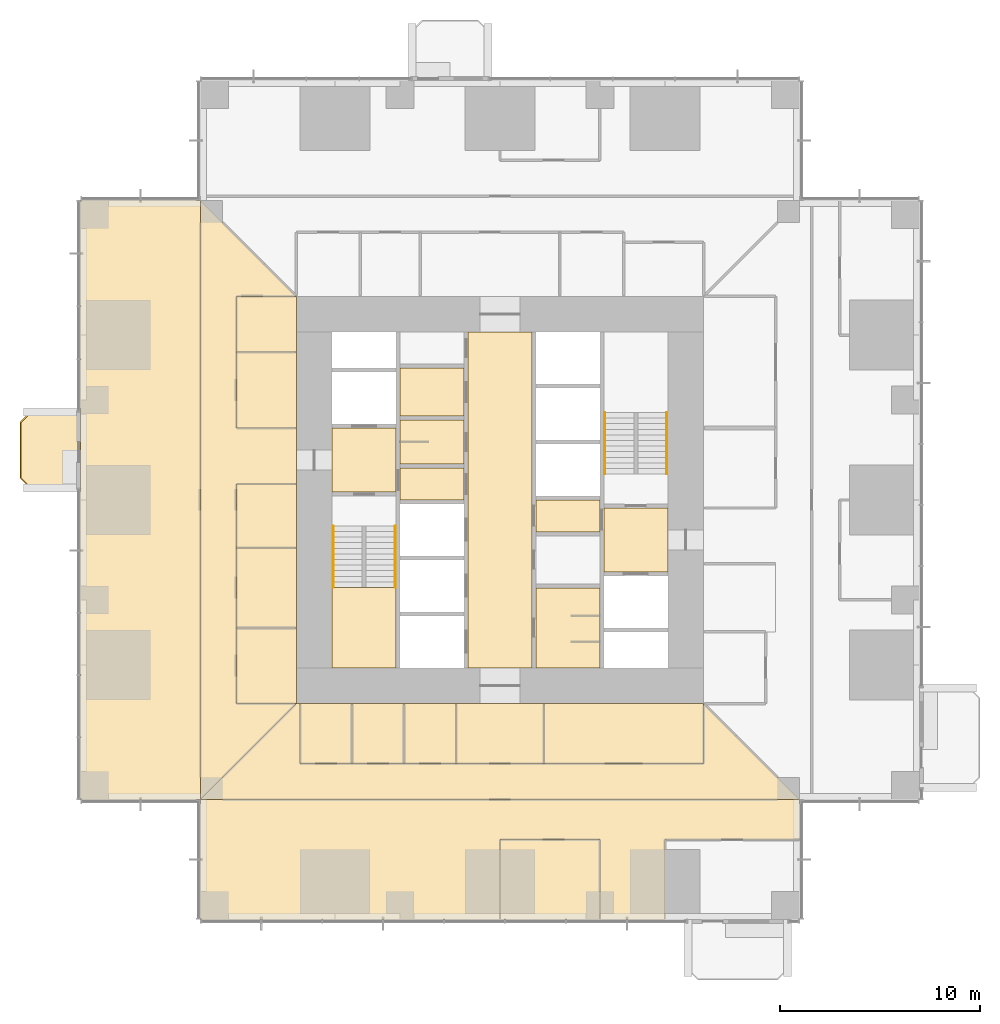
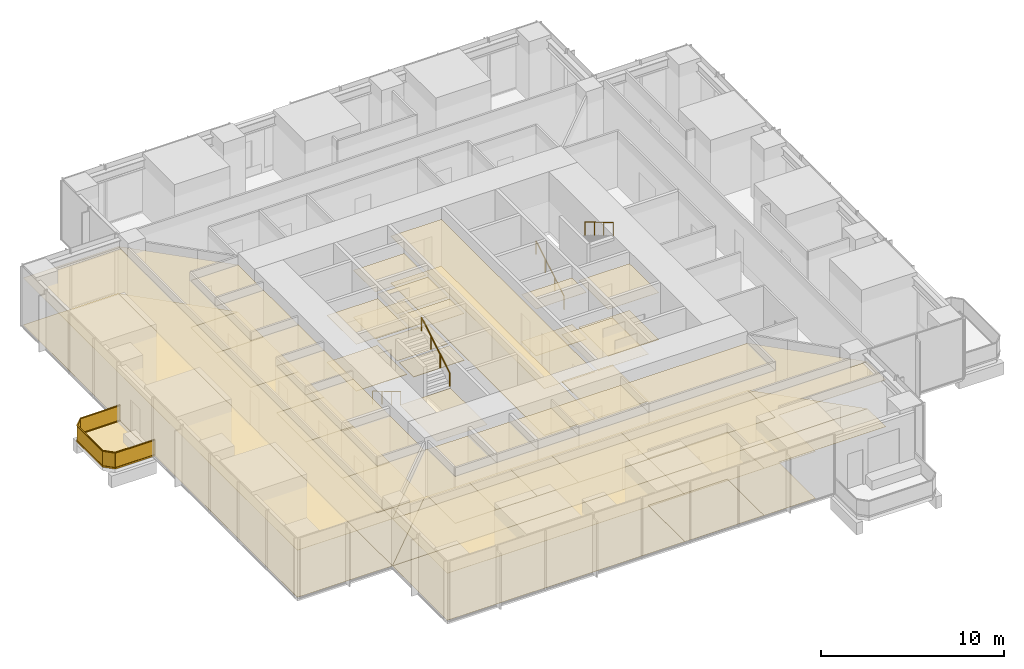
# One storey, part 13 of 15: 48 coverings, 5 railings.
"""IFC4 building model written with IfcOpenShell, lengths in metres."""

from ifc_helpers import new_model, si_unit, direction, frame, origin, origin_2d, place, context, subcontext, project, spatial, polyline, rectangle, circle, outline, extrude, material, layer, layer_set, type_object, element, save


model = new_model("IFC4")

# Units and contexts
model_context = context("Model", 3, precision=1e-05, world=origin(), true_north=direction((0.0, 1.0)))
body_context = subcontext(model_context, "Body", "Model", "MODEL_VIEW")
ifc_project = project(units=[si_unit("LENGTHUNIT", "METRE"), si_unit("AREAUNIT", "SQUARE_METRE"), si_unit("VOLUMEUNIT", "CUBIC_METRE"), si_unit("PLANEANGLEUNIT", "RADIAN"), si_unit("MASSUNIT", "GRAM", prefix="KILO")], contexts=[model_context])

# Site, building, storey
site_placement = place(None, origin())
site = spatial("IfcSite", under=ifc_project, at=site_placement, CompositionType="ELEMENT")
building_placement = place(site_placement, origin())
building = spatial("IfcBuilding", under=site, at=building_placement, Name="Svetlomir Tower", CompositionType="ELEMENT")
storey_placement = place(building_placement, frame((0.0, 0.0, 66.5)))
storey = spatial("IfcBuildingStorey", under=building, at=storey_placement, Name="L15", CompositionType="ELEMENT", Elevation=66.5)

# Railing
ifc_material_1 = material(Name="Bronze anodised aluminium and laminated glass", Category="aluminium")
railing_type_1 = type_object("IfcRailingType", Name="BALCONY GUARD GR1 1100", PredefinedType="GUARDRAIL", material=ifc_material_1)
railing_1_placement = place(storey_placement, frame((0.0, 25.39990234375, 0.0)))
element("IfcRailing", 1, at=railing_1_placement, inside=storey, type_object=railing_type_1, Name="Balcony guard W L15", PredefinedType="GUARDRAIL", context=body_context, shape_type="SweptSolid", body=[
    extrude(rectangle(XDim=0.06005859375, YDim=0.10009765625, at=origin_2d()), frame((0.0, 0.0, 0.050048828125), z_axis=(-1.0, 0.0, 0.0), x_axis=(0.0, -1.0, 0.0)), (0.0, 0.0, 1.0), 2.5),
    extrude(rectangle(XDim=0.021484375, YDim=0.960205078125, at=origin_2d()), frame((0.0, 0.0, 0.580078125), z_axis=(-1.0, 0.0, 0.0), x_axis=(0.0, -1.0, 0.0)), (0.0, 0.0, 1.0), 2.5),
    extrude(rectangle(XDim=0.06005859375, YDim=0.0400390625, at=origin_2d()), frame((0.0, 0.0, 1.080078125), z_axis=(-1.0, 0.0, 0.0), x_axis=(0.0, -1.0, 0.0)), (0.0, 0.0, 1.0), 2.5),
    extrude(rectangle(XDim=0.06005859375, YDim=0.10009765625, at=origin_2d()), frame((-2.5, 0.0, 0.050048828125), z_axis=(-0.707106781187, -0.707106781187, 0.0), x_axis=(0.707106781187, -0.707106781187, 0.0)), (0.0, 0.0, 1.0), 0.70703125),
    extrude(rectangle(XDim=0.021484375, YDim=0.960205078125, at=origin_2d()), frame((-2.5, 0.0, 0.580078125), z_axis=(-0.707106781187, -0.707106781187, 0.0), x_axis=(0.707106781187, -0.707106781187, 0.0)), (0.0, 0.0, 1.0), 0.70703125),
    extrude(rectangle(XDim=0.06005859375, YDim=0.0400390625, at=origin_2d()), frame((-2.5, 0.0, 1.080078125), z_axis=(-0.707106781187, -0.707106781187, 0.0), x_axis=(0.707106781187, -0.707106781187, 0.0)), (0.0, 0.0, 1.0), 0.70703125),
    extrude(rectangle(XDim=0.06005859375, YDim=0.10009765625, at=origin_2d()), frame((-3.0, -0.5, 0.050048828125), z_axis=(0.0, -1.0, 0.0), x_axis=(1.0, 0.0, 0.0)), (0.0, 0.0, 1.0), 2.7998046875),
    extrude(rectangle(XDim=0.021484375, YDim=0.960205078125, at=origin_2d()), frame((-3.0, -0.5, 0.580078125), z_axis=(0.0, -1.0, 0.0), x_axis=(1.0, 0.0, 0.0)), (0.0, 0.0, 1.0), 2.7998046875),
    extrude(rectangle(XDim=0.06005859375, YDim=0.0400390625, at=origin_2d()), frame((-3.0, -0.5, 1.080078125), z_axis=(0.0, -1.0, 0.0), x_axis=(1.0, 0.0, 0.0)), (0.0, 0.0, 1.0), 2.7998046875),
    extrude(rectangle(XDim=0.06005859375, YDim=0.10009765625, at=origin_2d()), frame((-3.0, -3.2998046875, 0.050048828125), z_axis=(0.707106781187, -0.707106781187, 0.0), x_axis=(0.707106781187, 0.707106781187, 0.0)), (0.0, 0.0, 1.0), 0.70703125),
    extrude(rectangle(XDim=0.021484375, YDim=0.960205078125, at=origin_2d()), frame((-3.0, -3.2998046875, 0.580078125), z_axis=(0.707106781187, -0.707106781187, 0.0), x_axis=(0.707106781187, 0.707106781187, 0.0)), (0.0, 0.0, 1.0), 0.70703125),
    extrude(rectangle(XDim=0.06005859375, YDim=0.0400390625, at=origin_2d()), frame((-3.0, -3.2998046875, 1.080078125), z_axis=(0.707106781187, -0.707106781187, 0.0), x_axis=(0.707106781187, 0.707106781187, 0.0)), (0.0, 0.0, 1.0), 0.70703125),
    extrude(rectangle(XDim=0.06005859375, YDim=0.10009765625, at=origin_2d()), frame((-2.5, -3.7998046875, 0.050048828125), z_axis=(1.0, 0.0, 0.0), x_axis=(0.0, 1.0, 0.0)), (0.0, 0.0, 1.0), 2.5),
    extrude(rectangle(XDim=0.021484375, YDim=0.960205078125, at=origin_2d()), frame((-2.5, -3.7998046875, 0.580078125), z_axis=(1.0, 0.0, 0.0), x_axis=(0.0, 1.0, 0.0)), (0.0, 0.0, 1.0), 2.5),
    extrude(rectangle(XDim=0.06005859375, YDim=0.0400390625, at=origin_2d()), frame((-2.5, -3.7998046875, 1.080078125), z_axis=(1.0, 0.0, 0.0), x_axis=(0.0, 1.0, 0.0)), (0.0, 0.0, 1.0), 2.5),
])

# Coverings
ifc_material_2 = material(Name="Granite paving slabs on pedestals", Category="masonry")
ifc_layer_1 = layer(ifc_material_2, 0.0400390625)
ifc_layer_set_1 = layer_set([ifc_layer_1], Name="Granite paving slabs on pedestals")
covering_type_1 = type_object("IfcCoveringType", Name="BALCONY PAVING 40", PredefinedType="USERDEFINED", material=ifc_layer_set_1)
covering_1_placement = place(storey_placement, origin())
element("IfcCovering", 2, at=covering_1_placement, inside=storey, type_object=covering_type_1, Name="Balcony paving W L15", ObjectType="BALCONY PAVING", PredefinedType="USERDEFINED", context=body_context, shape_type="SweptSolid", body=[
    extrude(outline(polyline([(-2.5, 21.60009765625), (0.0, 21.60009765625), (0.0, 25.39990234375), (-2.5, 25.39990234375), (-3.0, 24.89990234375), (-3.0, 22.10009765625), (-2.5, 21.60009765625)])), origin(), (0.0, 0.0, 1.0), 0.0400390625),
])
ifc_material_3 = material(Name="Carpet tile", Category="textile")
ifc_layer_2 = layer(ifc_material_3, 0.010009765625)
ifc_layer_set_2 = layer_set([ifc_layer_2], Name="Carpet tile")
covering_type_2 = type_object("IfcCoveringType", Name="CARPET TILE FLOOR 10", PredefinedType="FLOORING", material=ifc_layer_set_2)
covering_2_placement = place(storey_placement, origin())
element("IfcCovering", 3, at=covering_2_placement, inside=storey, type_object=covering_type_2, Name="Floor finish L15-13", PredefinedType="FLOORING", context=body_context, shape_type="SweptSolid", body=[
    extrude(outline(polyline([(11.0, 7.800048828125), (13.60009765625, 7.800048828125), (13.60009765625, 10.800048828125), (11.0, 10.800048828125), (11.0, 7.800048828125)])), origin(), (0.0, 0.0, 1.0), 0.010009765625),
])
covering_3_placement = place(storey_placement, origin())
element("IfcCovering", 4, at=covering_3_placement, inside=storey, type_object=covering_type_2, Name="Floor finish L15-14", PredefinedType="FLOORING", context=body_context, shape_type="SweptSolid", body=[
    extrude(outline(polyline([(13.60009765625, 7.800048828125), (16.199951171875, 7.800048828125), (16.199951171875, 10.800048828125), (13.60009765625, 10.800048828125), (13.60009765625, 7.800048828125)])), origin(), (0.0, 0.0, 1.0), 0.010009765625),
])
covering_4_placement = place(storey_placement, origin())
element("IfcCovering", 5, at=covering_4_placement, inside=storey, type_object=covering_type_2, Name="Floor finish L15-15", PredefinedType="FLOORING", context=body_context, shape_type="SweptSolid", body=[
    extrude(outline(polyline([(16.199951171875, 7.800048828125), (18.800048828125, 7.800048828125), (18.800048828125, 10.800048828125), (16.199951171875, 10.800048828125), (16.199951171875, 7.800048828125)])), origin(), (0.0, 0.0, 1.0), 0.010009765625),
])
covering_5_placement = place(storey_placement, origin())
element("IfcCovering", 6, at=covering_5_placement, inside=storey, type_object=covering_type_2, Name="Floor finish L15-16", PredefinedType="FLOORING", context=body_context, shape_type="SweptSolid", body=[
    extrude(outline(polyline([(23.199951171875, 7.800048828125), (31.199951171875, 7.800048828125), (31.199951171875, 10.800048828125), (23.199951171875, 10.800048828125), (23.199951171875, 7.800048828125)])), origin(), (0.0, 0.0, 1.0), 0.010009765625),
])
covering_6_placement = place(storey_placement, origin())
element("IfcCovering", 7, at=covering_6_placement, inside=storey, type_object=covering_type_2, Name="Floor finish L15-17", PredefinedType="FLOORING", context=body_context, shape_type="SweptSolid", body=[
    extrude(outline(polyline([(21.0, 0.0), (26.0, 0.0), (26.0, 4.0), (21.0, 4.0), (21.0, 0.0)])), origin(), (0.0, 0.0, 1.0), 0.010009765625),
])
covering_7_placement = place(storey_placement, origin())
element("IfcCovering", 8, at=covering_7_placement, inside=storey, type_object=covering_type_2, Name="Floor finish L15-29", PredefinedType="FLOORING", context=body_context, shape_type="SweptSolid", body=[
    extrude(outline(polyline([(7.800048828125, 10.800048828125), (10.800048828125, 10.800048828125), (10.800048828125, 14.60009765625), (7.800048828125, 14.60009765625), (7.800048828125, 10.800048828125)])), origin(), (0.0, 0.0, 1.0), 0.010009765625),
])
covering_8_placement = place(storey_placement, origin())
element("IfcCovering", 9, at=covering_8_placement, inside=storey, type_object=covering_type_2, Name="Floor finish L15-30", PredefinedType="FLOORING", context=body_context, shape_type="SweptSolid", body=[
    extrude(outline(polyline([(7.800048828125, 14.60009765625), (10.800048828125, 14.60009765625), (10.800048828125, 18.60009765625), (7.800048828125, 18.60009765625), (7.800048828125, 14.60009765625)])), origin(), (0.0, 0.0, 1.0), 0.010009765625),
])
covering_9_placement = place(storey_placement, origin())
element("IfcCovering", 10, at=covering_9_placement, inside=storey, type_object=covering_type_2, Name="Floor finish L15-31", PredefinedType="FLOORING", context=body_context, shape_type="SweptSolid", body=[
    extrude(outline(polyline([(7.800048828125, 24.60009765625), (10.800048828125, 24.60009765625), (10.800048828125, 28.39990234375), (7.800048828125, 28.39990234375), (7.800048828125, 24.60009765625)])), origin(), (0.0, 0.0, 1.0), 0.010009765625),
])
covering_10_placement = place(storey_placement, origin())
element("IfcCovering", 11, at=covering_10_placement, inside=storey, type_object=covering_type_2, Name="Floor finish L15-32", PredefinedType="FLOORING", context=body_context, shape_type="SweptSolid", body=[
    extrude(outline(polyline([(36.0, 6.0), (6.0, 6.0), (10.800048828125, 10.800048828125), (11.0, 10.800048828125), (11.0, 7.800048828125), (31.199951171875, 7.800048828125), (31.199951171875, 10.800048828125), (36.0, 6.0)])), origin(), (0.0, 0.0, 1.0), 0.010009765625),
])
covering_11_placement = place(storey_placement, origin())
element("IfcCovering", 12, at=covering_11_placement, inside=storey, type_object=covering_type_2, Name="Floor finish L15-35", PredefinedType="FLOORING", context=body_context, shape_type="SweptSolid", body=[
    extrude(outline(polyline([(6.0, 36.0), (10.800048828125, 31.199951171875), (7.800048828125, 31.199951171875), (7.800048828125, 24.60009765625), (10.800048828125, 24.60009765625), (10.800048828125, 21.800048828125), (7.800048828125, 21.800048828125), (7.800048828125, 10.800048828125), (10.800048828125, 10.800048828125), (6.0, 6.0), (6.0, 36.0)])), origin(), (0.0, 0.0, 1.0), 0.010009765625),
])
covering_12_placement = place(storey_placement, origin())
element("IfcCovering", 13, at=covering_12_placement, inside=storey, type_object=covering_type_2, Name="Floor finish L15-36", PredefinedType="FLOORING", context=body_context, shape_type="SweptSolid", body=[
    extrude(outline(polyline([(36.0, 6.0), (36.0, 4.0), (29.25, 4.0), (29.25, 0.0), (26.0, 0.0), (26.0, 4.0), (21.0, 4.0), (21.0, 0.0), (6.0, 0.0), (6.0, 6.0), (36.0, 6.0)])), origin(), (0.0, 0.0, 1.0), 0.010009765625),
])
covering_13_placement = place(storey_placement, origin())
element("IfcCovering", 14, at=covering_13_placement, inside=storey, type_object=covering_type_2, Name="Floor finish L15-37", PredefinedType="FLOORING", context=body_context, shape_type="SweptSolid", body=[
    extrude(outline(polyline([(23.199951171875, 10.800048828125), (23.199951171875, 7.800048828125), (18.800048828125, 7.800048828125), (18.800048828125, 10.800048828125), (23.199951171875, 10.800048828125)])), origin(), (0.0, 0.0, 1.0), 0.010009765625),
])
covering_14_placement = place(storey_placement, origin())
element("IfcCovering", 15, at=covering_14_placement, inside=storey, type_object=covering_type_2, Name="Floor finish L15-42", PredefinedType="FLOORING", context=body_context, shape_type="SweptSolid", body=[
    extrude(outline(polyline([(0.0, 36.0), (6.0, 36.0), (6.0, 6.0), (0.0, 6.0), (0.0, 36.0)])), origin(), (0.0, 0.0, 1.0), 0.010009765625),
])
covering_15_placement = place(storey_placement, origin())
element("IfcCovering", 16, at=covering_15_placement, inside=storey, type_object=covering_type_2, Name="Floor finish L15-43", PredefinedType="FLOORING", context=body_context, shape_type="SweptSolid", body=[
    extrude(outline(polyline([(7.800048828125, 28.39990234375), (7.800048828125, 31.199951171875), (10.800048828125, 31.199951171875), (10.800048828125, 28.39990234375), (7.800048828125, 28.39990234375)])), origin(), (0.0, 0.0, 1.0), 0.010009765625),
])
covering_16_placement = place(storey_placement, origin())
element("IfcCovering", 17, at=covering_16_placement, inside=storey, type_object=covering_type_2, Name="Floor finish L15-44", PredefinedType="FLOORING", context=body_context, shape_type="SweptSolid", body=[
    extrude(outline(polyline([(7.800048828125, 18.60009765625), (7.800048828125, 21.800048828125), (10.800048828125, 21.800048828125), (10.800048828125, 18.60009765625), (7.800048828125, 18.60009765625)])), origin(), (0.0, 0.0, 1.0), 0.010009765625),
])
ifc_material_4 = material(Name="Ceramic floor tile", Category="ceramic")
ifc_layer_3 = layer(ifc_material_4, 0.014892578125)
ifc_layer_set_3 = layer_set([ifc_layer_3], Name="Ceramic floor tile")
covering_type_3 = type_object("IfcCoveringType", Name="CERAMIC TILE FLOOR 15", PredefinedType="FLOORING", material=ifc_layer_set_3)
covering_17_placement = place(storey_placement, origin())
element("IfcCovering", 18, at=covering_17_placement, inside=storey, type_object=covering_type_3, Name="Floor finish L15-04", PredefinedType="FLOORING", context=body_context, shape_type="SweptSolid", body=[
    extrude(outline(polyline([(16.0, 22.800048828125), (19.199951171875, 22.800048828125), (19.199951171875, 25.0), (16.0, 25.0), (16.0, 22.800048828125)])), origin(), (0.0, 0.0, 1.0), 0.014892578125),
])
covering_18_placement = place(storey_placement, origin())
element("IfcCovering", 19, at=covering_18_placement, inside=storey, type_object=covering_type_3, Name="Floor finish L15-05", PredefinedType="FLOORING", context=body_context, shape_type="SweptSolid", body=[
    extrude(outline(polyline([(16.0, 25.199951171875), (19.199951171875, 25.199951171875), (19.199951171875, 27.60009765625), (16.0, 27.60009765625), (16.0, 25.199951171875)])), origin(), (0.0, 0.0, 1.0), 0.014892578125),
])
covering_19_placement = place(storey_placement, origin())
element("IfcCovering", 20, at=covering_19_placement, inside=storey, type_object=covering_type_3, Name="Floor finish L15-08", PredefinedType="FLOORING", context=body_context, shape_type="SweptSolid", body=[
    extrude(outline(polyline([(22.800048828125, 12.60009765625), (26.0, 12.60009765625), (26.0, 16.60009765625), (22.800048828125, 16.60009765625), (22.800048828125, 12.60009765625)])), origin(), (0.0, 0.0, 1.0), 0.014892578125),
])

# Railings
ifc_material_5 = material(Name="Stainless steel", Category="steel")
railing_type_2 = type_object("IfcRailingType", Name="HANDRAIL HR1 900", PredefinedType="HANDRAIL", material=ifc_material_5)
railing_2_placement = place(storey_placement, frame((12.64990234375, 19.699951171875, 0.166748046875)))
element("IfcRailing", 21, at=railing_2_placement, inside=storey, type_object=railing_type_2, Name="Handrail S1 flight 1 L15", PredefinedType="HANDRAIL", context=body_context, shape_type="SweptSolid", body=[
    extrude(circle(Radius=0.02392578125, at=origin_2d()), frame((0.0, 0.0, 0.8759765625), z_axis=(0.0, -0.859290745958, 0.51148745235), x_axis=(1.0, 0.0, 0.0)), (0.0, 0.0, 1.0), 3.584228515625),
    extrude(circle(Radius=0.02099609375, at=origin_2d()), origin(), (0.0, 0.0, 1.0), 0.851806640625),
    extrude(circle(Radius=0.02099609375, at=origin_2d()), frame((0.0, -1.026611328125, 0.611083984375)), (0.0, 0.0, 1.0), 0.851806640625),
    extrude(circle(Radius=0.02099609375, at=origin_2d()), frame((0.0, -2.05322265625, 1.22216796875)), (0.0, 0.0, 1.0), 0.851806640625),
    extrude(circle(Radius=0.02099609375, at=origin_2d()), frame((0.0, -3.079833984375, 1.833251953125)), (0.0, 0.0, 1.0), 0.851806640625),
])
for number, where, name in (
    (22, (15.75, 16.6201171875, 2.166748046875), "Handrail S1 flight 2 L15"),
    (23, (26.25, 22.300048828125, 0.166748046875), "Handrail S2 flight 1 L15"),
):
    element("IfcRailing", number, at=place(storey_placement, frame(where)), inside=storey, type_object=railing_type_2, Name=name, PredefinedType="HANDRAIL", context=body_context, shape_type="SweptSolid", body=[
        extrude(circle(Radius=0.02392578125, at=origin_2d()), frame((0.0, 0.0, 0.8759765625), z_axis=(0.0, 0.859290745958, 0.51148745235), x_axis=(-1.0, 0.0, 0.0)), (0.0, 0.0, 1.0), 3.584228515625),
        extrude(circle(Radius=0.02099609375, at=origin_2d()), origin(), (0.0, 0.0, 1.0), 0.851806640625),
        extrude(circle(Radius=0.02099609375, at=origin_2d()), frame((0.0, 1.026611328125, 0.611083984375)), (0.0, 0.0, 1.0), 0.851806640625),
        extrude(circle(Radius=0.02099609375, at=origin_2d()), frame((0.0, 2.05322265625, 1.22216796875)), (0.0, 0.0, 1.0), 0.851806640625),
        extrude(circle(Radius=0.02099609375, at=origin_2d()), frame((0.0, 3.079833984375, 1.833251953125)), (0.0, 0.0, 1.0), 0.851806640625),
    ])
railing_3_placement = place(storey_placement, frame((29.35009765625, 25.3798828125, 2.166748046875)))
element("IfcRailing", 24, at=railing_3_placement, inside=storey, type_object=railing_type_2, Name="Handrail S2 flight 2 L15", PredefinedType="HANDRAIL", context=body_context, shape_type="SweptSolid", body=[
    extrude(circle(Radius=0.02392578125, at=origin_2d()), frame((0.0, 0.0, 0.8759765625), z_axis=(0.0, -0.859290745958, 0.51148745235), x_axis=(1.0, 0.0, 0.0)), (0.0, 0.0, 1.0), 3.584228515625),
    extrude(circle(Radius=0.02099609375, at=origin_2d()), origin(), (0.0, 0.0, 1.0), 0.851806640625),
    extrude(circle(Radius=0.02099609375, at=origin_2d()), frame((0.0, -1.026611328125, 0.611083984375)), (0.0, 0.0, 1.0), 0.851806640625),
    extrude(circle(Radius=0.02099609375, at=origin_2d()), frame((0.0, -2.05322265625, 1.22216796875)), (0.0, 0.0, 1.0), 0.851806640625),
    extrude(circle(Radius=0.02099609375, at=origin_2d()), frame((0.0, -3.079833984375, 1.833251953125)), (0.0, 0.0, 1.0), 0.851806640625),
])

# Coverings
ifc_material_6 = material(Name="Moisture resistant plasterboard ceiling", Category="gypsum")
ifc_layer_4 = layer(ifc_material_6, 0.012451171875)
ifc_layer_set_4 = layer_set([ifc_layer_4], Name="Moisture resistant plasterboard ceiling")
covering_type_4 = type_object("IfcCoveringType", Name="MOISTURE RESISTANT CEILING 12.5", PredefinedType="CEILING", material=ifc_layer_set_4)
covering_20_placement = place(storey_placement, frame((0.0, 0.0, 3.137451171875)))
element("IfcCovering", 25, at=covering_20_placement, inside=storey, type_object=covering_type_4, Name="Ceiling L15-04", PredefinedType="CEILING", context=body_context, shape_type="SweptSolid", body=[
    extrude(outline(polyline([(16.0, 22.800048828125), (19.199951171875, 22.800048828125), (19.199951171875, 25.0), (16.0, 25.0), (16.0, 22.800048828125)])), origin(), (0.0, 0.0, 1.0), 0.012451171875),
])
covering_21_placement = place(storey_placement, frame((0.0, 0.0, 3.137451171875)))
element("IfcCovering", 26, at=covering_21_placement, inside=storey, type_object=covering_type_4, Name="Ceiling L15-05", PredefinedType="CEILING", context=body_context, shape_type="SweptSolid", body=[
    extrude(outline(polyline([(16.0, 25.199951171875), (19.199951171875, 25.199951171875), (19.199951171875, 27.60009765625), (16.0, 27.60009765625), (16.0, 25.199951171875)])), origin(), (0.0, 0.0, 1.0), 0.012451171875),
])
covering_22_placement = place(storey_placement, frame((0.0, 0.0, 3.137451171875)))
element("IfcCovering", 27, at=covering_22_placement, inside=storey, type_object=covering_type_4, Name="Ceiling L15-08", PredefinedType="CEILING", context=body_context, shape_type="SweptSolid", body=[
    extrude(outline(polyline([(22.800048828125, 12.60009765625), (26.0, 12.60009765625), (26.0, 16.60009765625), (22.800048828125, 16.60009765625), (22.800048828125, 12.60009765625)])), origin(), (0.0, 0.0, 1.0), 0.012451171875),
])
ifc_material_7 = material(Name="Gypsum plasterboard ceiling", Category="gypsum")
ifc_layer_5 = layer(ifc_material_7, 0.014892578125)
ifc_layer_set_5 = layer_set([ifc_layer_5], Name="Gypsum plasterboard ceiling")
covering_type_5 = type_object("IfcCoveringType", Name="PLASTERBOARD CEILING 15", PredefinedType="CEILING", material=ifc_layer_set_5)
covering_23_placement = place(storey_placement, frame((0.0, 0.0, 3.135009765625)))
element("IfcCovering", 28, at=covering_23_placement, inside=storey, type_object=covering_type_5, Name="Ceiling L15-02", PredefinedType="CEILING", context=body_context, shape_type="SweptSolid", body=[
    extrude(outline(polyline([(12.60009765625, 21.39990234375), (15.800048828125, 21.39990234375), (15.800048828125, 24.60009765625), (12.60009765625, 24.60009765625), (12.60009765625, 21.39990234375)])), origin(), (0.0, 0.0, 1.0), 0.014892578125),
])
covering_24_placement = place(storey_placement, frame((0.0, 0.0, 3.135009765625)))
element("IfcCovering", 29, at=covering_24_placement, inside=storey, type_object=covering_type_5, Name="Ceiling L15-03", PredefinedType="CEILING", context=body_context, shape_type="SweptSolid", body=[
    extrude(outline(polyline([(16.0, 21.0), (19.199951171875, 21.0), (19.199951171875, 22.60009765625), (16.0, 22.60009765625), (16.0, 21.0)])), origin(), (0.0, 0.0, 1.0), 0.014892578125),
])
covering_25_placement = place(storey_placement, frame((0.0, 0.0, 3.135009765625)))
element("IfcCovering", 30, at=covering_25_placement, inside=storey, type_object=covering_type_5, Name="Ceiling L15-07", PredefinedType="CEILING", context=body_context, shape_type="SweptSolid", body=[
    extrude(outline(polyline([(19.39990234375, 12.60009765625), (22.60009765625, 12.60009765625), (22.60009765625, 29.39990234375), (19.39990234375, 29.39990234375), (19.39990234375, 12.60009765625)])), origin(), (0.0, 0.0, 1.0), 0.014892578125),
])
covering_26_placement = place(storey_placement, frame((0.0, 0.0, 3.135009765625)))
element("IfcCovering", 31, at=covering_26_placement, inside=storey, type_object=covering_type_5, Name="Ceiling L15-10", PredefinedType="CEILING", context=body_context, shape_type="SweptSolid", body=[
    extrude(outline(polyline([(22.800048828125, 19.39990234375), (26.0, 19.39990234375), (26.0, 21.0), (22.800048828125, 21.0), (22.800048828125, 19.39990234375)])), origin(), (0.0, 0.0, 1.0), 0.014892578125),
])
covering_27_placement = place(storey_placement, frame((0.0, 0.0, 3.135009765625)))
element("IfcCovering", 32, at=covering_27_placement, inside=storey, type_object=covering_type_5, Name="Ceiling L15-11", PredefinedType="CEILING", context=body_context, shape_type="SweptSolid", body=[
    extrude(outline(polyline([(26.199951171875, 17.39990234375), (29.39990234375, 17.39990234375), (29.39990234375, 20.60009765625), (26.199951171875, 20.60009765625), (26.199951171875, 17.39990234375)])), origin(), (0.0, 0.0, 1.0), 0.014892578125),
])
ifc_material_8 = material(Name="Studded rubber floor finish", Category="rubber")
ifc_layer_6 = layer(ifc_material_8, 0.006103515625)
ifc_layer_set_6 = layer_set([ifc_layer_6], Name="Studded rubber floor finish")
covering_type_6 = type_object("IfcCoveringType", Name="RUBBER LANDING FINISH 6", PredefinedType="FLOORING", material=ifc_layer_set_6)
covering_28_placement = place(storey_placement, frame((0.0, 0.0, 2.0)))
element("IfcCovering", 33, at=covering_28_placement, inside=storey, type_object=covering_type_6, Name="Stair S1 landing finish L15", PredefinedType="FLOORING", context=body_context, shape_type="SweptSolid", body=[
    extrude(outline(polyline([(12.60009765625, 12.60009765625), (15.800048828125, 12.60009765625), (15.800048828125, 16.6201171875), (12.60009765625, 16.6201171875), (12.60009765625, 12.60009765625)])), origin(), (0.0, 0.0, 1.0), 0.006103515625),
])
ifc_material_9 = material(Name="Mineral fibre ceiling tile", Category="mineral")
ifc_layer_7 = layer(ifc_material_9, 0.02001953125)
ifc_layer_set_7 = layer_set([ifc_layer_7], Name="Mineral fibre ceiling tile")
covering_type_7 = type_object("IfcCoveringType", Name="SUSPENDED CEILING 20", PredefinedType="CEILING", material=ifc_layer_set_7)
covering_29_placement = place(storey_placement, frame((0.0, 0.0, 3.1298828125)))
element("IfcCovering", 34, at=covering_29_placement, inside=storey, type_object=covering_type_7, Name="Ceiling L15-13", PredefinedType="CEILING", context=body_context, shape_type="SweptSolid", body=[
    extrude(outline(polyline([(11.0, 7.800048828125), (13.60009765625, 7.800048828125), (13.60009765625, 10.800048828125), (11.0, 10.800048828125), (11.0, 7.800048828125)])), origin(), (0.0, 0.0, 1.0), 0.02001953125),
])
covering_30_placement = place(storey_placement, frame((0.0, 0.0, 3.1298828125)))
element("IfcCovering", 35, at=covering_30_placement, inside=storey, type_object=covering_type_7, Name="Ceiling L15-14", PredefinedType="CEILING", context=body_context, shape_type="SweptSolid", body=[
    extrude(outline(polyline([(13.60009765625, 7.800048828125), (16.199951171875, 7.800048828125), (16.199951171875, 10.800048828125), (13.60009765625, 10.800048828125), (13.60009765625, 7.800048828125)])), origin(), (0.0, 0.0, 1.0), 0.02001953125),
])
covering_31_placement = place(storey_placement, frame((0.0, 0.0, 3.1298828125)))
element("IfcCovering", 36, at=covering_31_placement, inside=storey, type_object=covering_type_7, Name="Ceiling L15-15", PredefinedType="CEILING", context=body_context, shape_type="SweptSolid", body=[
    extrude(outline(polyline([(16.199951171875, 7.800048828125), (18.800048828125, 7.800048828125), (18.800048828125, 10.800048828125), (16.199951171875, 10.800048828125), (16.199951171875, 7.800048828125)])), origin(), (0.0, 0.0, 1.0), 0.02001953125),
])
covering_32_placement = place(storey_placement, frame((0.0, 0.0, 3.1298828125)))
element("IfcCovering", 37, at=covering_32_placement, inside=storey, type_object=covering_type_7, Name="Ceiling L15-16", PredefinedType="CEILING", context=body_context, shape_type="SweptSolid", body=[
    extrude(outline(polyline([(23.199951171875, 7.800048828125), (31.199951171875, 7.800048828125), (31.199951171875, 10.800048828125), (23.199951171875, 10.800048828125), (23.199951171875, 7.800048828125)])), origin(), (0.0, 0.0, 1.0), 0.02001953125),
])
covering_33_placement = place(storey_placement, frame((0.0, 0.0, 3.1298828125)))
element("IfcCovering", 38, at=covering_33_placement, inside=storey, type_object=covering_type_7, Name="Ceiling L15-17", PredefinedType="CEILING", context=body_context, shape_type="SweptSolid", body=[
    extrude(outline(polyline([(21.0, 0.0), (26.0, 0.0), (26.0, 4.0), (21.0, 4.0), (21.0, 0.0)])), origin(), (0.0, 0.0, 1.0), 0.02001953125),
])
covering_34_placement = place(storey_placement, frame((0.0, 0.0, 3.1298828125)))
element("IfcCovering", 39, at=covering_34_placement, inside=storey, type_object=covering_type_7, Name="Ceiling L15-29", PredefinedType="CEILING", context=body_context, shape_type="SweptSolid", body=[
    extrude(outline(polyline([(7.800048828125, 10.800048828125), (10.800048828125, 10.800048828125), (10.800048828125, 14.60009765625), (7.800048828125, 14.60009765625), (7.800048828125, 10.800048828125)])), origin(), (0.0, 0.0, 1.0), 0.02001953125),
])
covering_35_placement = place(storey_placement, frame((0.0, 0.0, 3.1298828125)))
element("IfcCovering", 40, at=covering_35_placement, inside=storey, type_object=covering_type_7, Name="Ceiling L15-30", PredefinedType="CEILING", context=body_context, shape_type="SweptSolid", body=[
    extrude(outline(polyline([(7.800048828125, 14.60009765625), (10.800048828125, 14.60009765625), (10.800048828125, 18.60009765625), (7.800048828125, 18.60009765625), (7.800048828125, 14.60009765625)])), origin(), (0.0, 0.0, 1.0), 0.02001953125),
])
covering_36_placement = place(storey_placement, frame((0.0, 0.0, 3.1298828125)))
element("IfcCovering", 41, at=covering_36_placement, inside=storey, type_object=covering_type_7, Name="Ceiling L15-31", PredefinedType="CEILING", context=body_context, shape_type="SweptSolid", body=[
    extrude(outline(polyline([(7.800048828125, 24.60009765625), (10.800048828125, 24.60009765625), (10.800048828125, 28.39990234375), (7.800048828125, 28.39990234375), (7.800048828125, 24.60009765625)])), origin(), (0.0, 0.0, 1.0), 0.02001953125),
])
covering_37_placement = place(storey_placement, frame((0.0, 0.0, 3.1298828125)))
element("IfcCovering", 42, at=covering_37_placement, inside=storey, type_object=covering_type_7, Name="Ceiling L15-32", PredefinedType="CEILING", context=body_context, shape_type="SweptSolid", body=[
    extrude(outline(polyline([(36.0, 6.0), (6.0, 6.0), (10.800048828125, 10.800048828125), (11.0, 10.800048828125), (11.0, 7.800048828125), (31.199951171875, 7.800048828125), (31.199951171875, 10.800048828125), (36.0, 6.0)])), origin(), (0.0, 0.0, 1.0), 0.02001953125),
])
covering_38_placement = place(storey_placement, frame((0.0, 0.0, 3.1298828125)))
element("IfcCovering", 43, at=covering_38_placement, inside=storey, type_object=covering_type_7, Name="Ceiling L15-35", PredefinedType="CEILING", context=body_context, shape_type="SweptSolid", body=[
    extrude(outline(polyline([(6.0, 36.0), (10.800048828125, 31.199951171875), (7.800048828125, 31.199951171875), (7.800048828125, 24.60009765625), (10.800048828125, 24.60009765625), (10.800048828125, 21.800048828125), (7.800048828125, 21.800048828125), (7.800048828125, 10.800048828125), (10.800048828125, 10.800048828125), (6.0, 6.0), (6.0, 36.0)])), origin(), (0.0, 0.0, 1.0), 0.02001953125),
])
covering_39_placement = place(storey_placement, frame((0.0, 0.0, 3.1298828125)))
element("IfcCovering", 44, at=covering_39_placement, inside=storey, type_object=covering_type_7, Name="Ceiling L15-36", PredefinedType="CEILING", context=body_context, shape_type="SweptSolid", body=[
    extrude(outline(polyline([(36.0, 6.0), (36.0, 4.0), (29.25, 4.0), (29.25, 0.0), (26.0, 0.0), (26.0, 4.0), (21.0, 4.0), (21.0, 0.0), (6.0, 0.0), (6.0, 6.0), (36.0, 6.0)])), origin(), (0.0, 0.0, 1.0), 0.02001953125),
])
covering_40_placement = place(storey_placement, frame((0.0, 0.0, 3.1298828125)))
element("IfcCovering", 45, at=covering_40_placement, inside=storey, type_object=covering_type_7, Name="Ceiling L15-37", PredefinedType="CEILING", context=body_context, shape_type="SweptSolid", body=[
    extrude(outline(polyline([(23.199951171875, 10.800048828125), (23.199951171875, 7.800048828125), (18.800048828125, 7.800048828125), (18.800048828125, 10.800048828125), (23.199951171875, 10.800048828125)])), origin(), (0.0, 0.0, 1.0), 0.02001953125),
])
covering_41_placement = place(storey_placement, frame((0.0, 0.0, 3.1298828125)))
element("IfcCovering", 46, at=covering_41_placement, inside=storey, type_object=covering_type_7, Name="Ceiling L15-42", PredefinedType="CEILING", context=body_context, shape_type="SweptSolid", body=[
    extrude(outline(polyline([(0.0, 36.0), (6.0, 36.0), (6.0, 6.0), (0.0, 6.0), (0.0, 36.0)])), origin(), (0.0, 0.0, 1.0), 0.02001953125),
])
covering_42_placement = place(storey_placement, frame((0.0, 0.0, 3.1298828125)))
element("IfcCovering", 47, at=covering_42_placement, inside=storey, type_object=covering_type_7, Name="Ceiling L15-43", PredefinedType="CEILING", context=body_context, shape_type="SweptSolid", body=[
    extrude(outline(polyline([(7.800048828125, 28.39990234375), (7.800048828125, 31.199951171875), (10.800048828125, 31.199951171875), (10.800048828125, 28.39990234375), (7.800048828125, 28.39990234375)])), origin(), (0.0, 0.0, 1.0), 0.02001953125),
])
covering_43_placement = place(storey_placement, frame((0.0, 0.0, 3.1298828125)))
element("IfcCovering", 48, at=covering_43_placement, inside=storey, type_object=covering_type_7, Name="Ceiling L15-44", PredefinedType="CEILING", context=body_context, shape_type="SweptSolid", body=[
    extrude(outline(polyline([(7.800048828125, 18.60009765625), (7.800048828125, 21.800048828125), (10.800048828125, 21.800048828125), (10.800048828125, 18.60009765625), (7.800048828125, 18.60009765625)])), origin(), (0.0, 0.0, 1.0), 0.02001953125),
])
ifc_material_10 = material(Name="Bronze-aggregate terrazzo", Category="stone")
ifc_layer_8 = layer(ifc_material_10, 0.030029296875)
ifc_layer_set_8 = layer_set([ifc_layer_8], Name="Bronze-aggregate terrazzo")
covering_type_8 = type_object("IfcCoveringType", Name="TERRAZZO FLOOR 30", PredefinedType="FLOORING", material=ifc_layer_set_8)
covering_44_placement = place(storey_placement, origin())
element("IfcCovering", 49, at=covering_44_placement, inside=storey, type_object=covering_type_8, Name="Floor finish L15-02", PredefinedType="FLOORING", context=body_context, shape_type="SweptSolid", body=[
    extrude(outline(polyline([(12.60009765625, 21.39990234375), (15.800048828125, 21.39990234375), (15.800048828125, 24.60009765625), (12.60009765625, 24.60009765625), (12.60009765625, 21.39990234375)])), origin(), (0.0, 0.0, 1.0), 0.030029296875),
])
covering_45_placement = place(storey_placement, origin())
element("IfcCovering", 50, at=covering_45_placement, inside=storey, type_object=covering_type_8, Name="Floor finish L15-03", PredefinedType="FLOORING", context=body_context, shape_type="SweptSolid", body=[
    extrude(outline(polyline([(16.0, 21.0), (19.199951171875, 21.0), (19.199951171875, 22.60009765625), (16.0, 22.60009765625), (16.0, 21.0)])), origin(), (0.0, 0.0, 1.0), 0.030029296875),
])
covering_46_placement = place(storey_placement, origin())
element("IfcCovering", 51, at=covering_46_placement, inside=storey, type_object=covering_type_8, Name="Floor finish L15-07", PredefinedType="FLOORING", context=body_context, shape_type="SweptSolid", body=[
    extrude(outline(polyline([(19.39990234375, 12.60009765625), (22.60009765625, 12.60009765625), (22.60009765625, 29.39990234375), (19.39990234375, 29.39990234375), (19.39990234375, 12.60009765625)])), origin(), (0.0, 0.0, 1.0), 0.030029296875),
])
covering_47_placement = place(storey_placement, origin())
element("IfcCovering", 52, at=covering_47_placement, inside=storey, type_object=covering_type_8, Name="Floor finish L15-10", PredefinedType="FLOORING", context=body_context, shape_type="SweptSolid", body=[
    extrude(outline(polyline([(22.800048828125, 19.39990234375), (26.0, 19.39990234375), (26.0, 21.0), (22.800048828125, 21.0), (22.800048828125, 19.39990234375)])), origin(), (0.0, 0.0, 1.0), 0.030029296875),
])
covering_48_placement = place(storey_placement, origin())
element("IfcCovering", 53, at=covering_48_placement, inside=storey, type_object=covering_type_8, Name="Floor finish L15-11", PredefinedType="FLOORING", context=body_context, shape_type="SweptSolid", body=[
    extrude(outline(polyline([(26.199951171875, 17.39990234375), (29.39990234375, 17.39990234375), (29.39990234375, 20.60009765625), (26.199951171875, 20.60009765625), (26.199951171875, 17.39990234375)])), origin(), (0.0, 0.0, 1.0), 0.030029296875),
])

save(model, "model.ifc")
